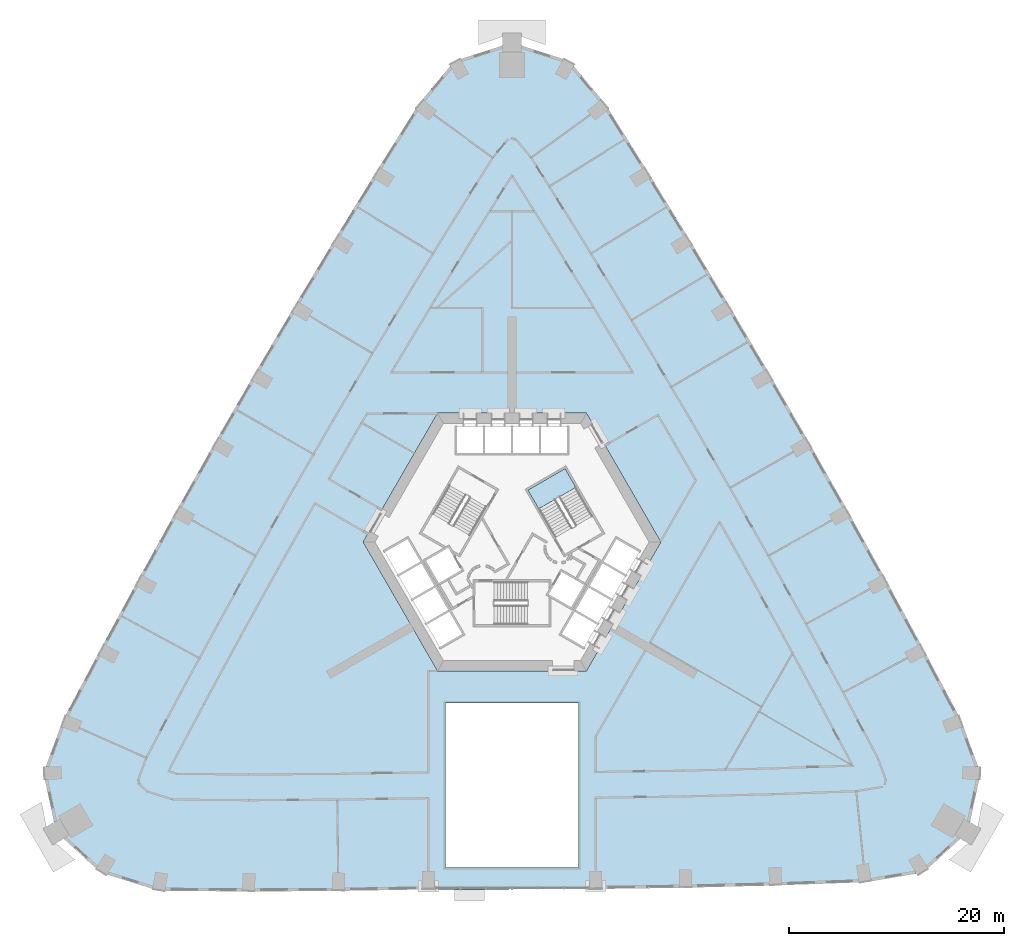
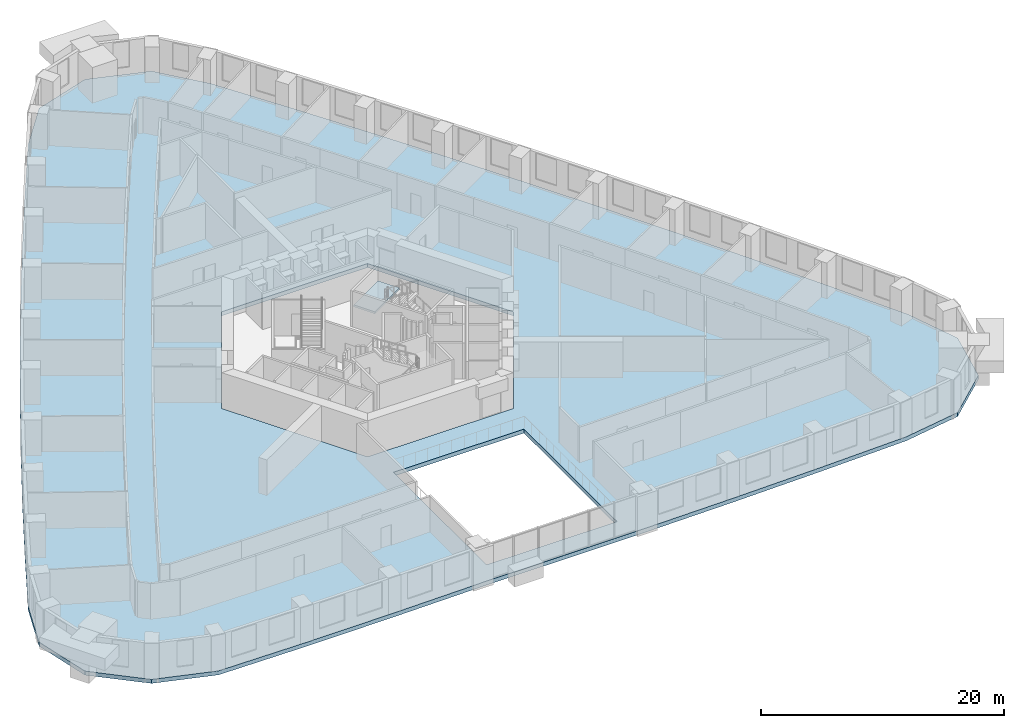
# One storey, part 3 of 15: 2 slabs, 1 element without a shape of its own.
"""IFC4 building model written with IfcOpenShell, lengths in metres."""

from ifc_helpers import new_model, si_unit, direction, frame, origin, place, context, subcontext, project, spatial, polyline, outline, extrude, material, layer, layer_set, type_object, element, aggregate, save


model = new_model("IFC4")

# Units and contexts
model_context = context("Model", 3, precision=1e-05, world=origin(), true_north=direction((0.0, 1.0)))
body_context = subcontext(model_context, "Body", "Model", "MODEL_VIEW")
ifc_project = project(units=[si_unit("LENGTHUNIT", "METRE"), si_unit("AREAUNIT", "SQUARE_METRE"), si_unit("VOLUMEUNIT", "CUBIC_METRE"), si_unit("PLANEANGLEUNIT", "RADIAN"), si_unit("MASSUNIT", "GRAM", prefix="KILO")], contexts=[model_context])

# Site, building, storey
site_placement = place(None, origin())
site = spatial("IfcSite", under=ifc_project, at=site_placement, CompositionType="ELEMENT")
building_placement = place(site_placement, origin())
building = spatial("IfcBuilding", under=site, at=building_placement, Name="Entoto Arch Interchange Tower", CompositionType="ELEMENT")
storey_placement = place(building_placement, frame((0.0, 0.0, 77.0)))
storey = spatial("IfcBuildingStorey", under=building, at=storey_placement, Name="L16", CompositionType="ELEMENT", Elevation=77.0)

# Stair, slab
ifc_material = material(Name="Concrete C40/50", Category="concrete")
stair_type = type_object("IfcStairType", Name="EXIT STAIR RC 1800", PredefinedType="HALF_TURN_STAIR", material=ifc_material)
stair_placement = place(storey_placement, origin())
stair = element("IfcStair", 1, at=stair_placement, inside=storey, type_object=stair_type, Name="L16 Exit stair NE", PredefinedType="HALF_TURN_STAIR")
ifc_layer_1 = layer(ifc_material, 0.199951171875)
ifc_layer_set_1 = layer_set([ifc_layer_1], Name="Concrete C40/50")
slab_type_1 = type_object("IfcSlabType", Name="EXIT STAIR LANDING RC 200", PredefinedType="LANDING", material=ifc_layer_set_1)
slab_1_placement = place(storey_placement, frame((0.0, 0.0, 1.89990234375)))
slab_1 = element("IfcSlab", 2, at=slab_1_placement, type_object=slab_type_1, Name="ST-NE landing 1", PredefinedType="LANDING", context=body_context, shape_type="SweptSolid", body=[
    extrude(outline(polyline([(5.953369140625, 7.58837890625), (4.943359375, 9.337890625), (1.479248046875, 7.337890625), (2.4892578125, 5.58837890625), (5.953369140625, 7.58837890625)])), origin(), (0.0, 0.0, 1.0), 0.2001953125),
])
aggregate(stair, [slab_1])

# Slab
ifc_layer_2 = layer(ifc_material, 0.39990234375)
ifc_layer_set_2 = layer_set([ifc_layer_2], Name="Concrete C40/50")
slab_type_2 = type_object("IfcSlabType", Name="Post-tensioned flat plate 400 C40/50", PredefinedType="FLOOR", material=ifc_layer_set_2)
slab_2_placement = place(storey_placement, frame((0.0, 0.0, -0.39990234375)))
element("IfcSlab", 3, at=slab_2_placement, inside=storey, type_object=slab_type_2, Name="Floor slab L16", PredefinedType="FLOOR", context=body_context, shape_type="SweptSolid", body=[
    extrude(outline(polyline([(-32.910888671875, -29.968994140625), (-24.5400390625, -30.0419921875), (-16.169921875, -29.987060546875), (-7.800048828125, -29.845947265625), (7.800048828125, -29.81201171875), (16.169921875, -29.68701171875), (24.5400390625, -29.47607421875), (32.910888671875, -29.177001953125), (38.284912109375, -28.277099609375), (42.44189453125, -24.50390625), (43.631103515625, -19.01806640625), (41.833984375, -14.125), (38.321044921875, -7.491943359375), (34.8310546875, -1.047119140625), (31.282958984375, 5.365966796875), (27.676025390625, 11.7470703125), (24.010986328125, 18.093994140625), (20.2890625, 24.408935546875), (16.509033203125, 30.68798828125), (12.672119140625, 36.93408203125), (8.68408203125, 43.2919921875), (5.345947265625, 47.2939453125), (0.0, 49.008056640625), (-5.345947265625, 47.2939453125), (-8.68408203125, 43.2919921875), (-12.672119140625, 36.93408203125), (-16.509033203125, 30.68798828125), (-20.2890625, 24.408935546875), (-24.010986328125, 18.093994140625), (-27.676025390625, 11.7470703125), (-31.282958984375, 5.365966796875), (-34.8310546875, -1.047119140625), (-38.321044921875, -7.491943359375), (-41.833984375, -14.125), (-43.631103515625, -19.01806640625), (-42.44189453125, -24.50390625), (-38.284912109375, -28.277099609375), (-32.910888671875, -29.968994140625)]), holes=[polyline([(6.199951171875, -27.81201171875), (6.199951171875, -12.5), (-6.199951171875, -12.5), (-6.199951171875, -27.81201171875), (6.199951171875, -27.81201171875)]), polyline([(13.85595703125, 2.5), (6.927978515625, 14.5), (-6.927978515625, 14.5), (-13.85595703125, 2.5), (-6.927978515625, -9.5), (6.927978515625, -9.5), (13.85595703125, 2.5)])]), origin(), (0.0, 0.0, 1.0), 0.39990234375),
])

save(model, "model.ifc")
